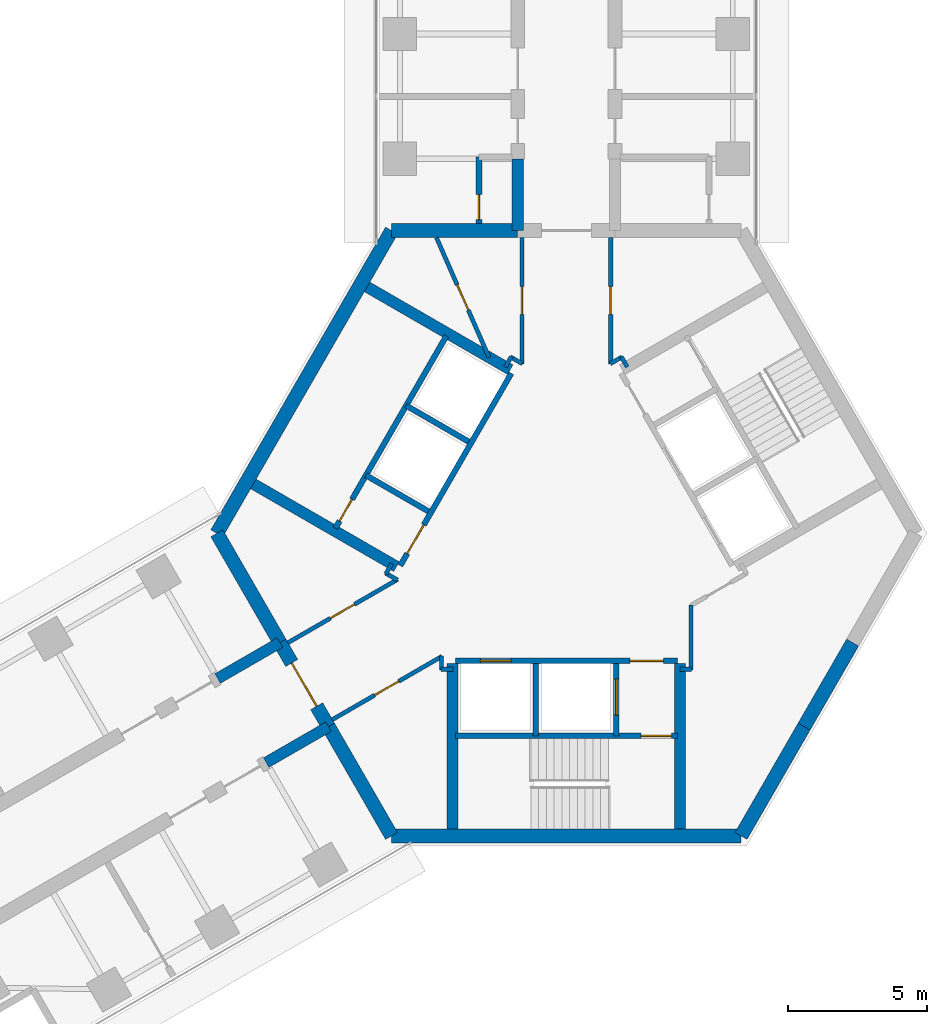
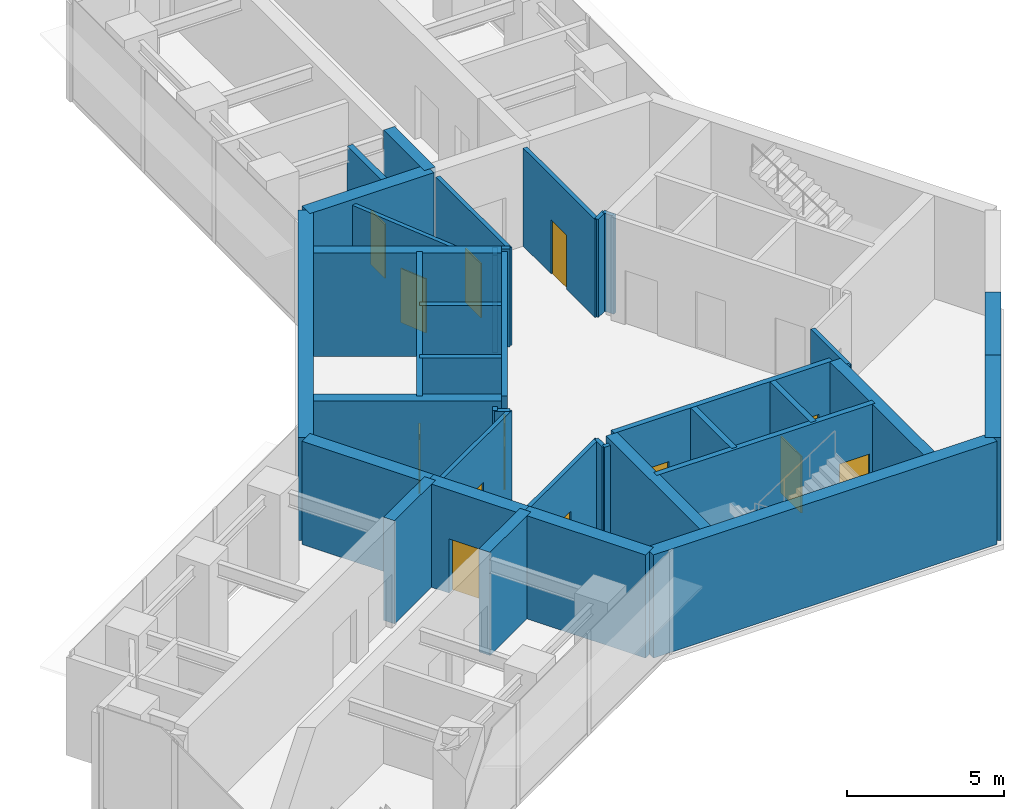
# One storey, part 14 of 17: 39 walls, 13 doors, 13 openings.
"""IFC4 building model written with IfcOpenShell, lengths in metres."""

from ifc_helpers import new_model, si_unit, direction, frame, frame_2d, origin, place, context, subcontext, project, spatial, rectangle, extrude, material, layer, layer_set, type_object, element, fill, save


model = new_model("IFC4")

# Units and contexts
model_context = context("Model", 3, precision=1e-05, world=origin(), true_north=direction((0.0, 1.0)))
body_context = subcontext(model_context, "Body", "Model", "MODEL_VIEW")
ifc_project = project(units=[si_unit("LENGTHUNIT", "METRE"), si_unit("AREAUNIT", "SQUARE_METRE"), si_unit("VOLUMEUNIT", "CUBIC_METRE"), si_unit("PLANEANGLEUNIT", "RADIAN"), si_unit("MASSUNIT", "GRAM", prefix="KILO")], contexts=[model_context])

# Site, building, storey
site_placement = place(None, origin())
site = spatial("IfcSite", under=ifc_project, at=site_placement, CompositionType="ELEMENT")
building_placement = place(site_placement, origin())
building = spatial("IfcBuilding", under=site, at=building_placement, Name="Upepo Twin Towers", CompositionType="ELEMENT")
storey_placement = place(building_placement, frame((0.0, 0.0, 178.5)))
storey = spatial("IfcBuildingStorey", under=building, at=storey_placement, Name="L43", CompositionType="ELEMENT", Elevation=178.5)

# Wall, opening, door
ifc_material_1 = material(Name="Concrete blockwork, plastered both faces", Category="masonry")
ifc_layer_1 = layer(ifc_material_1, 0.215087890625)
ifc_layer_set_1 = layer_set([ifc_layer_1], Name="Blockwork partition 215")
wall_type_1 = type_object("IfcWallType", Name="Blockwork partition 215", PredefinedType="PARTITIONING", material=ifc_layer_set_1)
wall_1_placement = place(storey_placement, frame((55.35009765625, -6.842041015625, 0.0), z_axis=(0.0, 0.0, 1.0), x_axis=(0.0, 1.0, 0.0)))
wall_1 = element("IfcWall", 1, at=wall_1_placement, inside=storey, type_object=wall_type_1, Name="T2 WC bay partition AL at 11.16", PredefinedType="PARTITIONING", context=body_context, shape_type="SweptSolid", body=[
    extrude(rectangle(XDim=2.400146484375, YDim=0.215087890625, at=frame_2d((1.2001953125, 0.0))), origin(), (0.0, 0.0, 1.0), 3.800048828125),
])
opening_1_placement = place(wall_1_placement, frame((0.14990234375, 0.0, 0.0)))
opening_1 = element("IfcOpeningElement", 2, at=opening_1_placement, cuts=wall_1, Name="Opening D14", PredefinedType="OPENING", context=body_context, shape_type="SweptSolid", body=[
    extrude(rectangle(XDim=0.89990234375, YDim=2.10009765625, at=frame_2d((0.449951171875, 1.050048828125))), frame((0.0, 0.117431640625, 0.0), z_axis=(0.0, -1.0, 0.0), x_axis=(1.0, 0.0, 0.0)), (0.0, 0.0, 1.0), 0.235107421875),
])
ifc_material_2 = material(Name="Timber doorset", Category="wood")
door_type_1 = type_object("IfcDoorType", Name="Office door 900 FD30", OperationType="SINGLE_SWING_LEFT", PredefinedType="DOOR", material=ifc_material_2)
door_1_placement = place(opening_1_placement, origin())
door_1 = element("IfcDoor", 3, at=door_1_placement, inside=storey, type_object=door_type_1, Name="T2 L43 WC bay inner room door", OperationType="SINGLE_SWING_LEFT", OverallHeight=2.10009765625, OverallWidth=0.89990234375, PredefinedType="DOOR", context=body_context, shape_type="SweptSolid", body=[
    extrude(rectangle(XDim=0.89990234375, YDim=2.10009765625, at=frame_2d((0.449951171875, 1.050048828125))), frame((0.0, 0.02490234375, 0.0), z_axis=(0.0, -1.0, 0.0), x_axis=(1.0, 0.0, 0.0)), (0.0, 0.0, 1.0), 0.050048828125),
])
fill(opening_1, door_1)

# Walls
ifc_material_3 = material(Name="Concrete C60/75", Category="concrete")
ifc_layer_2 = layer(ifc_material_3, 0.39990234375)
ifc_layer_set_2 = layer_set([ifc_layer_2], Name="Concrete C60/75")
wall_type_2 = type_object("IfcWallType", Name="Buttress wall 400 RC", PredefinedType="SHEAR", material=ifc_layer_set_2)
wall_2_placement = place(storey_placement, frame((56.75, -7.091552734375, 0.0), z_axis=(0.0, 0.0, 1.0), x_axis=(0.0, 1.0, 0.0)))
element("IfcWall", 4, at=wall_2_placement, inside=storey, type_object=wall_type_2, Name="T2 wing A buttress wall L", PredefinedType="SHEAR", context=body_context, shape_type="SweptSolid", body=[
    extrude(rectangle(XDim=2.591552734375, YDim=0.39990234375, at=frame_2d((1.2958984375, 0.0))), origin(), (0.0, 0.0, 1.0), 4.0),
])
for number, where, z_axis, x_axis, name in (
    (5, (49.92822265625, -24.9697265625, 0.0), (0.0, 0.0, 1.0), (-0.866031863473, -0.499988811324, 0.0), "T2 wing B buttress wall L"),
    (6, (48.17822265625, -21.938720703125, 0.0), (0.0, 0.0, 1.0), (-0.866072649678, -0.499918158782, 0.0), "T2 wing B buttress wall R"),
):
    element("IfcWall", number, at=place(storey_placement, frame(where, z_axis=z_axis, x_axis=x_axis)), inside=storey, type_object=wall_type_2, Name=name, PredefinedType="SHEAR", context=body_context, shape_type="SweptSolid", body=[
        extrude(rectangle(XDim=2.591796875, YDim=0.39990234375, at=frame_2d((1.2958984375, 0.0))), origin(), (0.0, 0.0, 1.0), 4.0),
    ])
ifc_material_4 = material(Name="Concrete C60/75", Category="concrete")
ifc_layer_3 = layer(ifc_material_4, 0.5)
ifc_layer_set_3 = layer_set([ifc_layer_3], Name="Concrete C60/75")
wall_type_3 = type_object("IfcWallType", Name="Core wall 500 RC", PredefinedType="SHEAR", material=ifc_layer_set_3)
wall_3_placement = place(storey_placement, frame((56.75, -7.091552734375, 0.0), z_axis=(0.0, 0.0, 1.0), x_axis=(-1.0, 0.0, 0.0)))
element("IfcWall", 7, at=wall_3_placement, inside=storey, type_object=wall_type_3, Name="T2 core wall 000 L", PredefinedType="SHEAR", context=body_context, shape_type="SweptSolid", body=[
    extrude(rectangle(XDim=4.5478515625, YDim=0.5, at=frame_2d((2.27392578125, 0.0))), origin(), (0.0, 0.0, 1.0), 4.0),
])
wall_4_placement = place(storey_placement, frame((52.2021484375, -7.091552734375, 0.0), z_axis=(0.0, 0.0, 1.0), x_axis=(-0.500005998175, -0.866021940709, 0.0)))
element("IfcWall", 8, at=wall_4_placement, inside=storey, type_object=wall_type_3, Name="T2 core wall 060", PredefinedType="SHEAR", context=body_context, shape_type="SweptSolid", body=[
    extrude(rectangle(XDim=12.595947265625, YDim=0.5, at=frame_2d((6.2978515625, 0.0))), origin(), (0.0, 0.0, 1.0), 4.0),
])
wall_5_placement = place(storey_placement, frame((45.904052734375, -18.0, 0.0), z_axis=(0.0, 0.0, 1.0), x_axis=(0.500024481964, -0.866011268655, 0.0)))
element("IfcWall", 9, at=wall_5_placement, inside=storey, type_object=wall_type_3, Name="T2 core wall 120 R", PredefinedType="SHEAR", context=body_context, shape_type="SweptSolid", body=[
    extrude(rectangle(XDim=4.548095703125, YDim=0.5, at=frame_2d((2.27392578125, 0.0))), origin(), (0.0, 0.0, 1.0), 4.0),
])

# Wall, opening, door
wall_6_placement = place(storey_placement, frame((48.17822265625, -21.938720703125, 0.0), z_axis=(0.0, 0.0, 1.0), x_axis=(0.500010275428, -0.866019471182, 0.0)))
wall_6 = element("IfcWall", 10, at=wall_6_placement, inside=storey, type_object=wall_type_3, Name="T2 core wall 120", PredefinedType="SHEAR", context=body_context, shape_type="SweptSolid", body=[
    extrude(rectangle(XDim=3.5, YDim=0.5, at=frame_2d((1.75, 0.0))), origin(), (0.0, 0.0, 1.0), 4.0),
])
opening_2_placement = place(wall_6_placement, frame((0.85009765625, 0.0, 0.0)))
opening_2 = element("IfcOpeningElement", 11, at=opening_2_placement, cuts=wall_6, Name="Opening D2", PredefinedType="OPENING", context=body_context, shape_type="SweptSolid", body=[
    extrude(rectangle(XDim=1.800048828125, YDim=2.10009765625, at=frame_2d((0.89990234375, 1.050048828125))), frame((0.0, 0.260009765625, 0.0), z_axis=(0.0, -1.0, 0.0), x_axis=(1.0, 0.0, 0.0)), (0.0, 0.0, 1.0), 0.52001953125),
])
ifc_material_5 = material(Name="Timber doorset", Category="wood")
door_type_2 = type_object("IfcDoorType", Name="Corridor double door 1800 FD60", OperationType="DOUBLE_DOOR_DOUBLE_SWING", PredefinedType="DOOR", material=ifc_material_5)
door_2_placement = place(opening_2_placement, origin())
door_2 = element("IfcDoor", 12, at=door_2_placement, inside=storey, type_object=door_type_2, Name="T2 L43 wing B corridor door", OperationType="DOUBLE_DOOR_DOUBLE_SWING", OverallHeight=2.10009765625, OverallWidth=1.800048828125, PredefinedType="DOOR", context=body_context, shape_type="SweptSolid", body=[
    extrude(rectangle(XDim=1.800048828125, YDim=2.10009765625, at=frame_2d((0.89990234375, 1.050048828125))), frame((0.0, 0.02490234375, 0.0), z_axis=(0.0, -1.0, 0.0), x_axis=(1.0, 0.0, 0.0)), (0.0, 0.0, 1.0), 0.050048828125),
])
fill(opening_2, door_2)

# Walls
wall_7_placement = place(storey_placement, frame((49.92822265625, -24.9697265625, 0.0), z_axis=(0.0, 0.0, 1.0), x_axis=(0.499984222037, -0.866034513004, 0.0)))
element("IfcWall", 13, at=wall_7_placement, inside=storey, type_object=wall_type_3, Name="T2 core wall 120 L", PredefinedType="SHEAR", context=body_context, shape_type="SweptSolid", body=[
    extrude(rectangle(XDim=4.548095703125, YDim=0.5, at=frame_2d((2.27392578125, 0.0))), origin(), (0.0, 0.0, 1.0), 4.0),
])
wall_8_placement = place(storey_placement, frame((52.2021484375, -28.908447265625, 0.0), z_axis=(0.0, 0.0, 1.0), x_axis=(1.0, 0.0, 0.0)))
element("IfcWall", 14, at=wall_8_placement, inside=storey, type_object=wall_type_3, Name="T2 core wall 180", PredefinedType="SHEAR", context=body_context, shape_type="SweptSolid", body=[
    extrude(rectangle(XDim=12.595703125, YDim=0.5, at=frame_2d((6.2978515625, 0.0))), origin(), (0.0, 0.0, 1.0), 4.0),
])
wall_9_placement = place(storey_placement, frame((64.7978515625, -28.908447265625, 0.0), z_axis=(0.0, 0.0, 1.0), x_axis=(0.499984222037, 0.866034513004, 0.0)))
element("IfcWall", 15, at=wall_9_placement, inside=storey, type_object=wall_type_3, Name="T2 core wall 240 R", PredefinedType="SHEAR", context=body_context, shape_type="SweptSolid", body=[
    extrude(rectangle(XDim=4.548095703125, YDim=0.5, at=frame_2d((2.27392578125, 0.0))), origin(), (0.0, 0.0, 1.0), 4.0),
])
wall_10_placement = place(storey_placement, frame((67.07177734375, -24.9697265625, 0.0), z_axis=(0.0, 0.0, 1.0), x_axis=(0.500010275428, 0.866019471182, 0.0)))
element("IfcWall", 16, at=wall_10_placement, inside=storey, type_object=wall_type_3, Name="T2 core wall 240", PredefinedType="SHEAR", context=body_context, shape_type="SweptSolid", body=[
    extrude(rectangle(XDim=3.5, YDim=0.5, at=frame_2d((1.75, 0.0))), origin(), (0.0, 0.0, 1.0), 4.0),
])

# Wall, opening, door
ifc_material_6 = material(Name="Concrete C40/50", Category="concrete")
ifc_layer_4 = layer(ifc_material_6, 0.199951171875)
ifc_layer_set_4 = layer_set([ifc_layer_4], Name="Concrete C40/50")
wall_type_4 = type_object("IfcWallType", Name="Shaft wall 200 RC", PredefinedType="SHEAR", material=ifc_layer_set_4)
wall_11_placement = place(storey_placement, frame((56.516357421875, -12.23583984375, 0.0), z_axis=(0.0, 0.0, 1.0), x_axis=(-0.49999894854, -0.866026010844, 0.0)))
wall_11 = element("IfcWall", 17, at=wall_11_placement, inside=storey, type_object=wall_type_4, Name="T2 core W60 front wall", PredefinedType="SHEAR", context=body_context, shape_type="SweptSolid", body=[
    extrude(rectangle(XDim=8.0, YDim=0.199951171875, at=frame_2d((4.0, 0.0))), origin(), (0.0, 0.0, 1.0), 4.0),
])
opening_3_placement = place(wall_11_placement, frame((6.300048828125, 0.0, 0.0)))
opening_3 = element("IfcOpeningElement", 18, at=opening_3_placement, cuts=wall_11, Name="Opening D4", PredefinedType="OPENING", context=body_context, shape_type="SweptSolid", body=[
    extrude(rectangle(XDim=1.199951171875, YDim=2.10009765625, at=frame_2d((0.60009765625, 1.050048828125))), frame((0.0, 0.10986328125, 0.0), z_axis=(0.0, -1.0, 0.0), x_axis=(1.0, 0.0, 0.0)), (0.0, 0.0, 1.0), 0.219970703125),
])
ifc_material_7 = material(Name="Timber doorset", Category="wood")
door_type_3 = type_object("IfcDoorType", Name="Lobby door 1200 FD60", OperationType="SINGLE_SWING_LEFT", PredefinedType="DOOR", material=ifc_material_7)
door_3_placement = place(opening_3_placement, origin())
door_3 = element("IfcDoor", 19, at=door_3_placement, inside=storey, type_object=door_type_3, Name="T2 L43 W60 lobby door", OperationType="SINGLE_SWING_RIGHT", OverallHeight=2.10009765625, OverallWidth=1.199951171875, PredefinedType="DOOR", context=body_context, shape_type="SweptSolid", body=[
    extrude(rectangle(XDim=1.199951171875, YDim=2.10009765625, at=frame_2d((0.60009765625, 1.050048828125))), frame((0.0, 0.02490234375, 0.0), z_axis=(0.0, -1.0, 0.0), x_axis=(1.0, 0.0, 0.0)), (0.0, 0.0, 1.0), 0.050048828125),
])
fill(opening_3, door_3)

# Walls
for number, where, z_axis, x_axis, name in (
    (20, (54.979736328125, -14.697265625, 0.0), (0.0, 0.0, 1.0), (-0.866062058628, 0.499936506574, 0.0), "T2 core W60 shaft divider"),
    (21, (53.52978515625, -17.208740234375, 0.0), (0.0, 0.0, 1.0), (-0.866062058628, 0.499936506574, 0.0), "T2 core W60 lobby wall"),
):
    element("IfcWall", number, at=place(storey_placement, frame(where, z_axis=z_axis, x_axis=x_axis)), inside=storey, type_object=wall_type_4, Name=name, PredefinedType="SHEAR", context=body_context, shape_type="SweptSolid", body=[
        extrude(rectangle(XDim=2.599853515625, YDim=0.199951171875, at=frame_2d((1.2998046875, 0.0))), origin(), (0.0, 0.0, 1.0), 4.0),
    ])

# Wall, opening, door
wall_12_placement = place(storey_placement, frame((54.177978515625, -10.885986328125, 0.0), z_axis=(0.0, 0.0, 1.0), x_axis=(-0.49999894854, -0.866026010844, 0.0)))
wall_12 = element("IfcWall", 22, at=wall_12_placement, inside=storey, type_object=wall_type_4, Name="T2 core W60 stair wall", PredefinedType="SHEAR", context=body_context, shape_type="SweptSolid", body=[
    extrude(rectangle(XDim=8.0, YDim=0.199951171875, at=frame_2d((4.0, 0.0))), origin(), (0.0, 0.0, 1.0), 4.0),
])
opening_4_placement = place(wall_12_placement, frame((6.800048828125, 0.0, 0.0)))
opening_4 = element("IfcOpeningElement", 23, at=opening_4_placement, cuts=wall_12, Name="Opening D9", PredefinedType="OPENING", context=body_context, shape_type="SweptSolid", body=[
    extrude(rectangle(XDim=0.89990234375, YDim=2.10009765625, at=frame_2d((0.449951171875, 1.050048828125))), frame((0.0, 0.10986328125, 0.0), z_axis=(0.0, -1.0, 0.0), x_axis=(1.0, 0.0, 0.0)), (0.0, 0.0, 1.0), 0.219970703125),
])
ifc_material_8 = material(Name="Timber doorset", Category="wood")
door_type_4 = type_object("IfcDoorType", Name="Riser door 900 FD60", OperationType="SINGLE_SWING_LEFT", PredefinedType="DOOR", material=ifc_material_8)
door_4_placement = place(opening_4_placement, origin())
door_4 = element("IfcDoor", 24, at=door_4_placement, inside=storey, type_object=door_type_4, Name="T2 L43 riser door", OperationType="SINGLE_SWING_RIGHT", OverallHeight=2.10009765625, OverallWidth=0.89990234375, PredefinedType="DOOR", context=body_context, shape_type="SweptSolid", body=[
    extrude(rectangle(XDim=0.89990234375, YDim=2.10009765625, at=frame_2d((0.449951171875, 1.050048828125))), frame((0.0, 0.02490234375, 0.0), z_axis=(0.0, -1.0, 0.0), x_axis=(1.0, 0.0, 0.0)), (0.0, 0.0, 1.0), 0.050048828125),
])
fill(opening_4, door_4)

# Wall, openings, doors
wall_13_placement = place(storey_placement, frame((54.5, -22.60009765625, 0.0), z_axis=(0.0, 0.0, 1.0), x_axis=(1.0, 0.0, 0.0)))
wall_13 = element("IfcWall", 25, at=wall_13_placement, inside=storey, type_object=wall_type_4, Name="T2 core W180 front wall", PredefinedType="SHEAR", context=body_context, shape_type="SweptSolid", body=[
    extrude(rectangle(XDim=8.0, YDim=0.199951171875, at=frame_2d((4.0, 0.0))), origin(), (0.0, 0.0, 1.0), 4.0),
])
opening_5_placement = place(wall_13_placement, frame((6.300048828125, 0.0, 0.0)))
opening_5 = element("IfcOpeningElement", 26, at=opening_5_placement, cuts=wall_13, Name="Opening D4", PredefinedType="OPENING", context=body_context, shape_type="SweptSolid", body=[
    extrude(rectangle(XDim=1.199951171875, YDim=2.10009765625, at=frame_2d((0.60009765625, 1.050048828125))), frame((0.0, 0.10986328125, 0.0), z_axis=(0.0, -1.0, 0.0), x_axis=(1.0, 0.0, 0.0)), (0.0, 0.0, 1.0), 0.219970703125),
])
opening_6_placement = place(wall_13_placement, frame((0.89990234375, 0.0, 0.0)))
opening_6 = element("IfcOpeningElement", 27, at=opening_6_placement, cuts=wall_13, Name="Opening LD1", PredefinedType="OPENING", context=body_context, shape_type="SweptSolid", body=[
    extrude(rectangle(XDim=1.10009765625, YDim=2.199951171875, at=frame_2d((0.550048828125, 1.10009765625))), frame((0.0, 0.10986328125, 0.0), z_axis=(0.0, -1.0, 0.0), x_axis=(1.0, 0.0, 0.0)), (0.0, 0.0, 1.0), 0.219970703125),
])
ifc_material_9 = material(Name="Steel doorset", Category="steel")
door_type_5 = type_object("IfcDoorType", Name="Lift landing door 1100", OperationType="DOUBLE_DOOR_SLIDING", PredefinedType="DOOR", material=ifc_material_9)
door_5_placement = place(opening_6_placement, origin())
door_5 = element("IfcDoor", 28, at=door_5_placement, inside=storey, type_object=door_type_5, Name="T2 L43 lift SV1 landing door", OperationType="DOUBLE_DOOR_SLIDING", OverallHeight=2.199951171875, OverallWidth=1.10009765625, PredefinedType="DOOR", context=body_context, shape_type="SweptSolid", body=[
    extrude(rectangle(XDim=1.10009765625, YDim=2.199951171875, at=frame_2d((0.550048828125, 1.10009765625))), frame((0.0, 0.02490234375, 0.0), z_axis=(0.0, -1.0, 0.0), x_axis=(1.0, 0.0, 0.0)), (0.0, 0.0, 1.0), 0.050048828125),
])
fill(opening_6, door_5)
door_6_placement = place(opening_5_placement, origin())
door_6 = element("IfcDoor", 29, at=door_6_placement, inside=storey, type_object=door_type_3, Name="T2 L43 W180 lobby door", OperationType="SINGLE_SWING_RIGHT", OverallHeight=2.10009765625, OverallWidth=1.199951171875, PredefinedType="DOOR", context=body_context, shape_type="SweptSolid", body=[
    extrude(rectangle(XDim=1.199951171875, YDim=2.10009765625, at=frame_2d((0.60009765625, 1.050048828125))), frame((0.0, 0.02490234375, 0.0), z_axis=(0.0, -1.0, 0.0), x_axis=(1.0, 0.0, 0.0)), (0.0, 0.0, 1.0), 0.050048828125),
])
fill(opening_5, door_6)

# Wall
wall_14_placement = place(storey_placement, frame((57.39990234375, -22.699951171875, 0.0), z_axis=(0.0, 0.0, 1.0), x_axis=(0.0, -1.0, 0.0)))
element("IfcWall", 30, at=wall_14_placement, inside=storey, type_object=wall_type_4, Name="T2 core W180 shaft divider", PredefinedType="SHEAR", context=body_context, shape_type="SweptSolid", body=[
    extrude(rectangle(XDim=2.60009765625, YDim=0.199951171875, at=frame_2d((1.300048828125, 0.0))), origin(), (0.0, 0.0, 1.0), 4.0),
])

# Wall, opening, door
wall_15_placement = place(storey_placement, frame((60.300048828125, -22.699951171875, 0.0), z_axis=(0.0, 0.0, 1.0), x_axis=(0.0, -1.0, 0.0)))
wall_15 = element("IfcWall", 31, at=wall_15_placement, inside=storey, type_object=wall_type_4, Name="T2 core W180 lobby wall", PredefinedType="SHEAR", context=body_context, shape_type="SweptSolid", body=[
    extrude(rectangle(XDim=2.60009765625, YDim=0.199951171875, at=frame_2d((1.300048828125, 0.0))), origin(), (0.0, 0.0, 1.0), 4.0),
])
opening_7_placement = place(wall_15_placement, frame((0.550048828125, 0.0, 0.0)))
opening_7 = element("IfcOpeningElement", 32, at=opening_7_placement, cuts=wall_15, Name="Opening LD2", PredefinedType="OPENING", context=body_context, shape_type="SweptSolid", body=[
    extrude(rectangle(XDim=1.300048828125, YDim=2.199951171875, at=frame_2d((0.64990234375, 1.10009765625))), frame((0.0, 0.10986328125, 0.0), z_axis=(0.0, -1.0, 0.0), x_axis=(1.0, 0.0, 0.0)), (0.0, 0.0, 1.0), 0.219970703125),
])
ifc_material_10 = material(Name="Steel doorset", Category="steel")
door_type_6 = type_object("IfcDoorType", Name="Firefighting lift landing door 1300", OperationType="DOUBLE_DOOR_SLIDING", PredefinedType="DOOR", material=ifc_material_10)
door_7_placement = place(opening_7_placement, origin())
door_7 = element("IfcDoor", 33, at=door_7_placement, inside=storey, type_object=door_type_6, Name="T2 L43 firefighting lift landing door", OperationType="DOUBLE_DOOR_SLIDING", OverallHeight=2.199951171875, OverallWidth=1.300048828125, PredefinedType="DOOR", context=body_context, shape_type="SweptSolid", body=[
    extrude(rectangle(XDim=1.300048828125, YDim=2.199951171875, at=frame_2d((0.64990234375, 1.10009765625))), frame((0.0, 0.02490234375, 0.0), z_axis=(0.0, -1.0, 0.0), x_axis=(1.0, 0.0, 0.0)), (0.0, 0.0, 1.0), 0.050048828125),
])
fill(opening_7, door_7)

wall_16_placement = place(storey_placement, frame((54.5, -25.300048828125, 0.0), z_axis=(0.0, 0.0, 1.0), x_axis=(1.0, 0.0, 0.0)))
wall_16 = element("IfcWall", 34, at=wall_16_placement, inside=storey, type_object=wall_type_4, Name="T2 core W180 stair wall", PredefinedType="SHEAR", context=body_context, shape_type="SweptSolid", body=[
    extrude(rectangle(XDim=8.0, YDim=0.199951171875, at=frame_2d((4.0, 0.0))), origin(), (0.0, 0.0, 1.0), 4.0),
])
opening_8_placement = place(wall_16_placement, frame((6.699951171875, 0.0, 0.0)))
opening_8 = element("IfcOpeningElement", 35, at=opening_8_placement, cuts=wall_16, Name="Opening D3", PredefinedType="OPENING", context=body_context, shape_type="SweptSolid", body=[
    extrude(rectangle(XDim=1.10009765625, YDim=2.10009765625, at=frame_2d((0.550048828125, 1.050048828125))), frame((0.0, 0.10986328125, 0.0), z_axis=(0.0, -1.0, 0.0), x_axis=(1.0, 0.0, 0.0)), (0.0, 0.0, 1.0), 0.219970703125),
])
ifc_material_11 = material(Name="Timber doorset", Category="wood")
door_type_7 = type_object("IfcDoorType", Name="Stair door 1100 FD60", OperationType="SINGLE_SWING_LEFT", PredefinedType="DOOR", material=ifc_material_11)
door_8_placement = place(opening_8_placement, origin())
door_8 = element("IfcDoor", 36, at=door_8_placement, inside=storey, type_object=door_type_7, Name="T2 L43 stair door", OperationType="SINGLE_SWING_RIGHT", OverallHeight=2.10009765625, OverallWidth=1.10009765625, PredefinedType="DOOR", context=body_context, shape_type="SweptSolid", body=[
    extrude(rectangle(XDim=1.10009765625, YDim=2.10009765625, at=frame_2d((0.550048828125, 1.050048828125))), frame((0.0, 0.02490234375, 0.0), z_axis=(0.0, -1.0, 0.0), x_axis=(1.0, 0.0, 0.0)), (0.0, 0.0, 1.0), 0.050048828125),
])
fill(opening_8, door_8)

# Walls
ifc_material_12 = material(Name="Concrete C40/50", Category="concrete")
ifc_layer_5 = layer(ifc_material_12, 0.39990234375)
ifc_layer_set_5 = layer_set([ifc_layer_5], Name="Concrete C40/50")
wall_type_5 = type_object("IfcWallType", Name="Shaft wall 400 RC", PredefinedType="SHEAR", material=ifc_layer_set_5)
wall_17_placement = place(storey_placement, frame((52.379638671875, -19.20068359375, 0.0), z_axis=(0.0, 0.0, 1.0), x_axis=(-0.866012946976, 0.500021575205, 0.0)))
element("IfcWall", 37, at=wall_17_placement, inside=storey, type_object=wall_type_5, Name="T2 core W60 side wall N", PredefinedType="SHEAR", context=body_context, shape_type="SweptSolid", body=[
    extrude(rectangle(XDim=5.958251953125, YDim=0.39990234375, at=frame_2d((2.97900390625, 0.0))), origin(), (0.0, 0.0, 1.0), 4.0),
])
for number, where, z_axis, x_axis, name in (
    (38, (56.479736328125, -12.099365234375, 0.0), (0.0, 0.0, 1.0), (-0.86602319114, 0.500003832394, 0.0), "T2 core W60 side wall S"),
    (39, (62.60009765625, -22.699951171875, 0.0), (0.0, 0.0, 1.0), (0.0, -1.0, 0.0), "T2 core W180 side wall N"),
    (40, (54.39990234375, -22.699951171875, 0.0), (0.0, 0.0, 1.0), (0.0, -1.0, 0.0), "T2 core W180 side wall S"),
):
    element("IfcWall", number, at=place(storey_placement, frame(where, z_axis=z_axis, x_axis=x_axis)), inside=storey, type_object=wall_type_5, Name=name, PredefinedType="SHEAR", context=body_context, shape_type="SweptSolid", body=[
        extrude(rectangle(XDim=5.95849609375, YDim=0.39990234375, at=frame_2d((2.979248046875, 0.0))), origin(), (0.0, 0.0, 1.0), 4.0),
    ])
ifc_material_13 = material(Name="Gypsum board on steel studs", Category="steel")
ifc_layer_6 = layer(ifc_material_13, 0.14990234375)
ifc_layer_set_6 = layer_set([ifc_layer_6], Name="Teaching partition 150 acoustic")
wall_type_6 = type_object("IfcWallType", Name="Teaching partition 150 acoustic", PredefinedType="PARTITIONING", material=ifc_layer_set_6)
for number, where, z_axis, x_axis, name in (
    (41, (63.02001953125, -22.89990234375, 0.0), (0.0, 0.0, 1.0), (-1.0, 0.0, 0.0), "T2 core room partition 1"),
    (42, (54.409912109375, -22.89990234375, 0.0), (0.0, 0.0, 1.0), (-1.0, 0.0, 0.0), "T2 core room partition 2"),
):
    element("IfcWall", number, at=place(storey_placement, frame(where, z_axis=z_axis, x_axis=x_axis)), inside=storey, type_object=wall_type_6, Name=name, PredefinedType="PARTITIONING", context=body_context, shape_type="SweptSolid", body=[
        extrude(rectangle(XDim=0.429931640625, YDim=0.14990234375, at=frame_2d((0.21484375, 0.0))), origin(), (0.0, 0.0, 1.0), 3.800048828125),
    ])
wall_18_placement = place(storey_placement, frame((54.0, -22.919921875, 0.0), z_axis=(0.0, 0.0, 1.0), x_axis=(0.0, 1.0, 0.0)))
element("IfcWall", 43, at=wall_18_placement, inside=storey, type_object=wall_type_6, Name="T2 core room partition 3", PredefinedType="PARTITIONING", context=body_context, shape_type="SweptSolid", body=[
    extrude(rectangle(XDim=0.494384765625, YDim=0.14990234375, at=frame_2d((0.2470703125, 0.0))), origin(), (0.0, 0.0, 1.0), 3.800048828125),
])

# Wall, opening, door
wall_19_placement = place(storey_placement, frame((54.017333984375, -22.435546875, 0.0), z_axis=(0.0, 0.0, 1.0), x_axis=(-0.866024503882, -0.500001558674, 0.0)))
wall_19 = element("IfcWall", 44, at=wall_19_placement, inside=storey, type_object=wall_type_6, Name="T2 core room partition 4", PredefinedType="PARTITIONING", context=body_context, shape_type="SweptSolid", body=[
    extrude(rectangle(XDim=4.568359375, YDim=0.14990234375, at=frame_2d((2.2841796875, 0.0))), origin(), (0.0, 0.0, 1.0), 3.800048828125),
])
opening_9_placement = place(wall_19_placement, frame((1.794189453125, 0.0, 0.0)))
opening_9 = element("IfcOpeningElement", 45, at=opening_9_placement, cuts=wall_19, Name="Opening D1", PredefinedType="OPENING", context=body_context, shape_type="SweptSolid", body=[
    extrude(rectangle(XDim=1.0, YDim=2.10009765625, at=frame_2d((0.5, 1.050048828125))), frame((0.0, 0.0849609375, 0.0), z_axis=(0.0, -1.0, 0.0), x_axis=(1.0, 0.0, 0.0)), (0.0, 0.0, 1.0), 0.169921875),
])
ifc_material_14 = material(Name="Timber doorset", Category="wood")
door_type_8 = type_object("IfcDoorType", Name="Room door 1000 FD30", OperationType="SINGLE_SWING_LEFT", PredefinedType="DOOR", material=ifc_material_14)
door_9_placement = place(opening_9_placement, origin())
door_9 = element("IfcDoor", 46, at=door_9_placement, inside=storey, type_object=door_type_8, Name="T2 L43 core room door K2", OperationType="SINGLE_SWING_RIGHT", OverallHeight=2.10009765625, OverallWidth=1.0, PredefinedType="DOOR", context=body_context, shape_type="SweptSolid", body=[
    extrude(rectangle(XDim=1.0, YDim=2.10009765625, at=frame_2d((0.5, 1.050048828125))), frame((0.0, 0.02490234375, 0.0), z_axis=(0.0, -1.0, 0.0), x_axis=(1.0, 0.0, 0.0)), (0.0, 0.0, 1.0), 0.050048828125),
])
fill(opening_9, door_9)

wall_20_placement = place(storey_placement, frame((48.4609375, -21.948486328125, 0.0), z_axis=(0.0, 0.0, 1.0), x_axis=(0.866024503882, 0.500001558674, 0.0)))
wall_20 = element("IfcWall", 47, at=wall_20_placement, inside=storey, type_object=wall_type_6, Name="T2 core room partition 5", PredefinedType="PARTITIONING", context=body_context, shape_type="SweptSolid", body=[
    extrude(rectangle(XDim=4.568359375, YDim=0.14990234375, at=frame_2d((2.2841796875, 0.0))), origin(), (0.0, 0.0, 1.0), 3.800048828125),
])
opening_10_placement = place(wall_20_placement, frame((1.774169921875, 0.0, 0.0)))
opening_10 = element("IfcOpeningElement", 48, at=opening_10_placement, cuts=wall_20, Name="Opening D1", PredefinedType="OPENING", context=body_context, shape_type="SweptSolid", body=[
    extrude(rectangle(XDim=1.0, YDim=2.10009765625, at=frame_2d((0.5, 1.050048828125))), frame((0.0, 0.0849609375, 0.0), z_axis=(0.0, -1.0, 0.0), x_axis=(1.0, 0.0, 0.0)), (0.0, 0.0, 1.0), 0.169921875),
])
door_10_placement = place(opening_10_placement, origin())
door_10 = element("IfcDoor", 49, at=door_10_placement, inside=storey, type_object=door_type_8, Name="T2 L43 core room door K1", OperationType="SINGLE_SWING_LEFT", OverallHeight=2.10009765625, OverallWidth=1.0, PredefinedType="DOOR", context=body_context, shape_type="SweptSolid", body=[
    extrude(rectangle(XDim=1.0, YDim=2.10009765625, at=frame_2d((0.5, 1.050048828125))), frame((0.0, 0.02490234375, 0.0), z_axis=(0.0, -1.0, 0.0), x_axis=(1.0, 0.0, 0.0)), (0.0, 0.0, 1.0), 0.050048828125),
])
fill(opening_10, door_10)

# Walls
wall_21_placement = place(storey_placement, frame((52.417236328125, -19.684326171875, 0.0), z_axis=(0.0, 0.0, 1.0), x_axis=(-0.865831790172, 0.50033519877, 0.0)))
element("IfcWall", 50, at=wall_21_placement, inside=storey, type_object=wall_type_6, Name="T2 core room partition 6", PredefinedType="PARTITIONING", context=body_context, shape_type="SweptSolid", body=[
    extrude(rectangle(XDim=0.494384765625, YDim=0.14990234375, at=frame_2d((0.2470703125, 0.0))), origin(), (0.0, 0.0, 1.0), 3.800048828125),
])
for number, where, z_axis, x_axis, name in (
    (51, (51.99658203125, -19.46435546875, 0.0), (0.0, 0.0, 1.0), (0.499804398801, 0.866138304741, 0.0), "T2 core room partition 7"),
    (52, (56.301513671875, -12.0078125, 0.0), (0.0, 0.0, 1.0), (0.500230298122, 0.865892400268, 0.0), "T2 core room partition 8"),
):
    element("IfcWall", number, at=place(storey_placement, frame(where, z_axis=z_axis, x_axis=x_axis)), inside=storey, type_object=wall_type_6, Name=name, PredefinedType="PARTITIONING", context=body_context, shape_type="SweptSolid", body=[
        extrude(rectangle(XDim=0.429931640625, YDim=0.14990234375, at=frame_2d((0.21484375, 0.0))), origin(), (0.0, 0.0, 1.0), 3.800048828125),
    ])
wall_22_placement = place(storey_placement, frame((56.4892578125, -11.642822265625, 0.0), z_axis=(0.0, 0.0, 1.0), x_axis=(0.865831790172, -0.50033519877, 0.0)))
element("IfcWall", 53, at=wall_22_placement, inside=storey, type_object=wall_type_6, Name="T2 core room partition 9", PredefinedType="PARTITIONING", context=body_context, shape_type="SweptSolid", body=[
    extrude(rectangle(XDim=0.494384765625, YDim=0.14990234375, at=frame_2d((0.2470703125, 0.0))), origin(), (0.0, 0.0, 1.0), 3.800048828125),
])

# Wall, opening, door
wall_23_placement = place(storey_placement, frame((56.89990234375, -11.900146484375, 0.0), z_axis=(0.0, 0.0, 1.0), x_axis=(0.0, 1.0, 0.0)))
wall_23 = element("IfcWall", 54, at=wall_23_placement, inside=storey, type_object=wall_type_6, Name="T2 core room partition 10", PredefinedType="PARTITIONING", context=body_context, shape_type="SweptSolid", body=[
    extrude(rectangle(XDim=4.568359375, YDim=0.14990234375, at=frame_2d((2.2841796875, 0.0))), origin(), (0.0, 0.0, 1.0), 3.800048828125),
])
opening_11_placement = place(wall_23_placement, frame((1.79443359375, 0.0, 0.0)))
opening_11 = element("IfcOpeningElement", 55, at=opening_11_placement, cuts=wall_23, Name="Opening D1", PredefinedType="OPENING", context=body_context, shape_type="SweptSolid", body=[
    extrude(rectangle(XDim=1.0, YDim=2.10009765625, at=frame_2d((0.5, 1.050048828125))), frame((0.0, 0.0849609375, 0.0), z_axis=(0.0, -1.0, 0.0), x_axis=(1.0, 0.0, 0.0)), (0.0, 0.0, 1.0), 0.169921875),
])
door_11_placement = place(opening_11_placement, origin())
door_11 = element("IfcDoor", 56, at=door_11_placement, inside=storey, type_object=door_type_8, Name="T2 L43 core room door K6", OperationType="SINGLE_SWING_RIGHT", OverallHeight=2.10009765625, OverallWidth=1.0, PredefinedType="DOOR", context=body_context, shape_type="SweptSolid", body=[
    extrude(rectangle(XDim=1.0, YDim=2.10009765625, at=frame_2d((0.5, 1.050048828125))), frame((0.0, 0.02490234375, 0.0), z_axis=(0.0, -1.0, 0.0), x_axis=(1.0, 0.0, 0.0)), (0.0, 0.0, 1.0), 0.050048828125),
])
fill(opening_11, door_11)

wall_24_placement = place(storey_placement, frame((60.10009765625, -7.331787109375, 0.0), z_axis=(0.0, 0.0, 1.0), x_axis=(0.0, -1.0, 0.0)))
wall_24 = element("IfcWall", 57, at=wall_24_placement, inside=storey, type_object=wall_type_6, Name="T2 core room partition 11", PredefinedType="PARTITIONING", context=body_context, shape_type="SweptSolid", body=[
    extrude(rectangle(XDim=4.568359375, YDim=0.14990234375, at=frame_2d((2.2841796875, 0.0))), origin(), (0.0, 0.0, 1.0), 3.800048828125),
])
opening_12_placement = place(wall_24_placement, frame((1.774169921875, 0.0, 0.0)))
opening_12 = element("IfcOpeningElement", 58, at=opening_12_placement, cuts=wall_24, Name="Opening D1", PredefinedType="OPENING", context=body_context, shape_type="SweptSolid", body=[
    extrude(rectangle(XDim=1.0, YDim=2.10009765625, at=frame_2d((0.5, 1.050048828125))), frame((0.0, 0.0849609375, 0.0), z_axis=(0.0, -1.0, 0.0), x_axis=(1.0, 0.0, 0.0)), (0.0, 0.0, 1.0), 0.169921875),
])
door_12_placement = place(opening_12_placement, origin())
door_12 = element("IfcDoor", 59, at=door_12_placement, inside=storey, type_object=door_type_8, Name="T2 L43 core room door K4", OperationType="SINGLE_SWING_LEFT", OverallHeight=2.10009765625, OverallWidth=1.0, PredefinedType="DOOR", context=body_context, shape_type="SweptSolid", body=[
    extrude(rectangle(XDim=1.0, YDim=2.10009765625, at=frame_2d((0.5, 1.050048828125))), frame((0.0, 0.02490234375, 0.0), z_axis=(0.0, -1.0, 0.0), x_axis=(1.0, 0.0, 0.0)), (0.0, 0.0, 1.0), 0.050048828125),
])
fill(opening_12, door_12)

# Walls
wall_25_placement = place(storey_placement, frame((60.082763671875, -11.89013671875, 0.0), z_axis=(0.0, 0.0, 1.0), x_axis=(0.865831790172, 0.50033519877, 0.0)))
element("IfcWall", 60, at=wall_25_placement, inside=storey, type_object=wall_type_6, Name="T2 core room partition 12", PredefinedType="PARTITIONING", context=body_context, shape_type="SweptSolid", body=[
    extrude(rectangle(XDim=0.494384765625, YDim=0.14990234375, at=frame_2d((0.2470703125, 0.0))), origin(), (0.0, 0.0, 1.0), 3.800048828125),
])
wall_26_placement = place(storey_placement, frame((60.4833984375, -11.635498046875, 0.0), z_axis=(0.0, 0.0, 1.0), x_axis=(0.500230298122, -0.865892400268, 0.0)))
element("IfcWall", 61, at=wall_26_placement, inside=storey, type_object=wall_type_6, Name="T2 core room partition 13", PredefinedType="PARTITIONING", context=body_context, shape_type="SweptSolid", body=[
    extrude(rectangle(XDim=0.429931640625, YDim=0.14990234375, at=frame_2d((0.21484375, 0.0))), origin(), (0.0, 0.0, 1.0), 3.800048828125),
])
wall_27_placement = place(storey_placement, frame((63.0, -20.578125, 0.0), z_axis=(0.0, 0.0, 1.0), x_axis=(0.0, -1.0, 0.0)))
element("IfcWall", 62, at=wall_27_placement, inside=storey, type_object=wall_type_6, Name="T2 core room partition 16", PredefinedType="PARTITIONING", context=body_context, shape_type="SweptSolid", body=[
    extrude(rectangle(XDim=2.341796875, YDim=0.14990234375, at=frame_2d((1.1708984375, 0.0))), origin(), (0.0, 0.0, 1.0), 3.800048828125),
])

# Wall, opening, door
wall_28_placement = place(storey_placement, frame((55.71484375, -11.65771484375, 0.0), z_axis=(0.0, 0.0, 1.0), x_axis=(-0.402073730919, 0.915607292951, 0.0)))
wall_28 = element("IfcWall", 63, at=wall_28_placement, inside=storey, type_object=wall_type_6, Name="T2 core room partition 17", PredefinedType="PARTITIONING", context=body_context, shape_type="SweptSolid", body=[
    extrude(rectangle(XDim=4.713623046875, YDim=0.14990234375, at=frame_2d((2.35693359375, 0.0))), origin(), (0.0, 0.0, 1.0), 3.800048828125),
])
opening_13_placement = place(wall_28_placement, frame((1.85693359375, 0.0, 0.0)))
opening_13 = element("IfcOpeningElement", 64, at=opening_13_placement, cuts=wall_28, Name="Opening D1", PredefinedType="OPENING", context=body_context, shape_type="SweptSolid", body=[
    extrude(rectangle(XDim=1.0, YDim=2.10009765625, at=frame_2d((0.5, 1.050048828125))), frame((0.0, 0.0849609375, 0.0), z_axis=(0.0, -1.0, 0.0), x_axis=(1.0, 0.0, 0.0)), (0.0, 0.0, 1.0), 0.169921875),
])
door_13_placement = place(opening_13_placement, origin())
door_13 = element("IfcDoor", 65, at=door_13_placement, inside=storey, type_object=door_type_8, Name="T2 L43 core room door K5", OperationType="SINGLE_SWING_LEFT", OverallHeight=2.10009765625, OverallWidth=1.0, PredefinedType="DOOR", context=body_context, shape_type="SweptSolid", body=[
    extrude(rectangle(XDim=1.0, YDim=2.10009765625, at=frame_2d((0.5, 1.050048828125))), frame((0.0, 0.02490234375, 0.0), z_axis=(0.0, -1.0, 0.0), x_axis=(1.0, 0.0, 0.0)), (0.0, 0.0, 1.0), 0.050048828125),
])
fill(opening_13, door_13)

save(model, "model.ifc")
